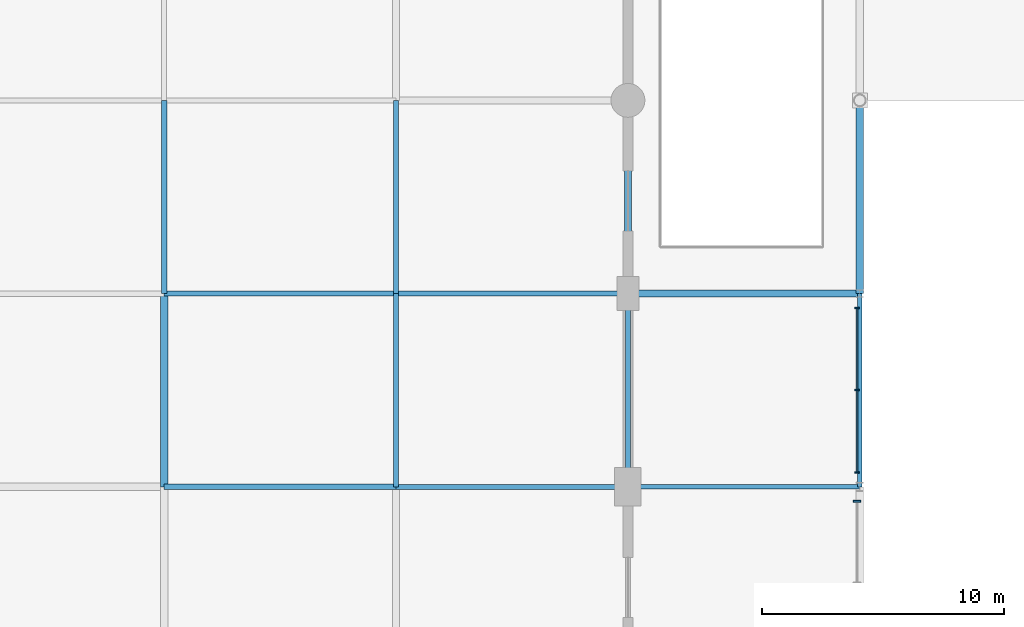
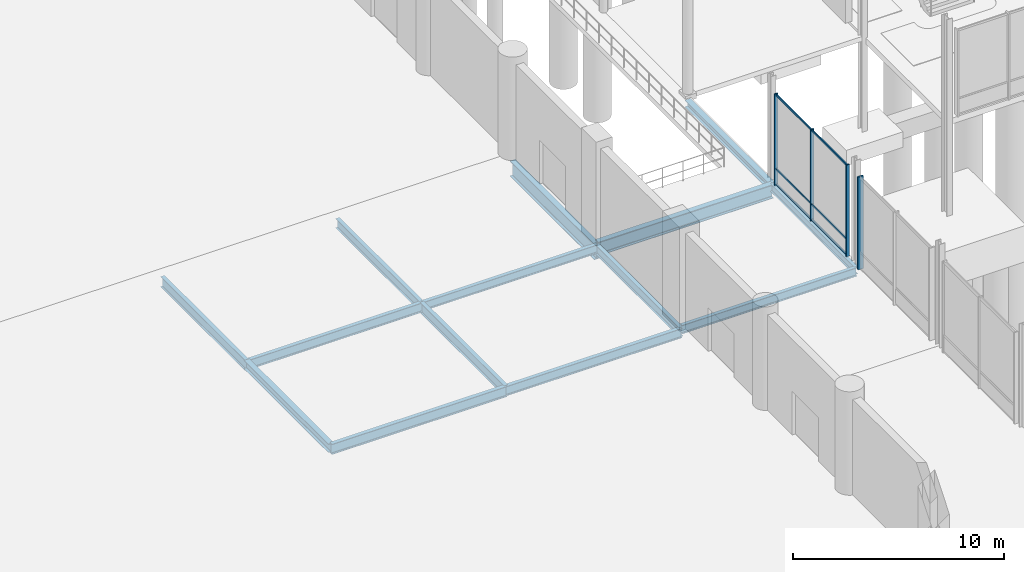
# One storey, part 51 of 124: 14 beams, 7 members, 2 elements without a shape of their own.
"""IFC4 building model written with IfcOpenShell, lengths in metres."""

from ifc_helpers import new_model, si_unit, direction, frame, origin, origin_2d, place, context, subcontext, project, spatial, rectangle, i_section, extrude, material, material_profile, profile_set, type_object, element, aggregate, save


model = new_model("IFC4")

# Units and contexts
model_context = context("Model", 3, precision=1e-05, world=origin(), true_north=direction((0.0, 1.0)))
body_context = subcontext(model_context, "Body", "Model", "MODEL_VIEW")
ifc_project = project(units=[si_unit("LENGTHUNIT", "METRE"), si_unit("AREAUNIT", "SQUARE_METRE"), si_unit("VOLUMEUNIT", "CUBIC_METRE"), si_unit("PLANEANGLEUNIT", "RADIAN"), si_unit("MASSUNIT", "GRAM", prefix="KILO")], contexts=[model_context])

# Site, building, storey
site_placement = place(None, origin())
site = spatial("IfcSite", under=ifc_project, at=site_placement, CompositionType="ELEMENT")
building_placement = place(site_placement, origin())
building = spatial("IfcBuilding", under=site, at=building_placement, Name="Danafjord Basin Convention Centre", CompositionType="ELEMENT")
storey_placement = place(building_placement, origin())
storey = spatial("IfcBuildingStorey", under=building, at=storey_placement, Name="L00", CompositionType="ELEMENT", Elevation=0.0)

# Beams
ifc_material_1 = material(Name="Steel S355", Category="steel")
ifc_material_profile_1 = material_profile(ifc_material_1, i_section(OverallWidth=0.300048828125, OverallDepth=0.5, WebThickness=0.014404296875, FlangeThickness=0.028076171875, FilletRadius=0.027099609375, at=origin_2d()), Name="HEB 500")
ifc_profile_set_1 = profile_set([ifc_material_profile_1], Name="Steel S355")
beam_type_1 = type_object("IfcBeamType", Name="BEAM-BM-HEB500", PredefinedType="BEAM", material=ifc_profile_set_1)
beam_1_placement = place(storey_placement, frame((96.0, 80.0, -0.699951171875), z_axis=(0.0, 1.0, 0.0), x_axis=(-1.0, 0.0, 0.0)))
element("IfcBeam", 1, at=beam_1_placement, inside=storey, type_object=beam_type_1, Name="L00 transverse girder BM-HEB500", PredefinedType="BEAM", context=body_context, shape_type="SweptSolid", body=[
    extrude(i_section(OverallWidth=0.300048828125, OverallDepth=0.5, WebThickness=0.014404296875, FlangeThickness=0.028076171875, FilletRadius=0.027099609375, at=origin_2d()), origin(), (0.0, 0.0, 1.0), 8.0),
])
ifc_material_profile_2 = material_profile(ifc_material_1, i_section(OverallWidth=0.300048828125, OverallDepth=0.800048828125, WebThickness=0.017578125, FlangeThickness=0.032958984375, FilletRadius=0.030029296875, at=origin_2d()), Name="HEB 800")
ifc_profile_set_2 = profile_set([ifc_material_profile_2], Name="Steel S355")
beam_type_2 = type_object("IfcBeamType", Name="BEAM-BM-HEB800", PredefinedType="BEAM", material=ifc_profile_set_2)
beam_2_placement = place(storey_placement, frame((115.199951171875, 88.0, -0.68994140625), z_axis=(1.0, 0.0, 0.0), x_axis=(0.0, 1.0, 0.0)))
element("IfcBeam", 2, at=beam_2_placement, inside=storey, type_object=beam_type_2, Name="L00 girder BM-HEB800", PredefinedType="BEAM", context=body_context, shape_type="SweptSolid", body=[
    extrude(i_section(OverallWidth=0.300048828125, OverallDepth=0.800048828125, WebThickness=0.017578125, FlangeThickness=0.032958984375, FilletRadius=0.030029296875, at=origin_2d()), origin(), (0.0, 0.0, 1.0), 9.60009765625),
])
ifc_material_profile_3 = material_profile(ifc_material_1, i_section(OverallWidth=0.300048828125, OverallDepth=0.89990234375, WebThickness=0.0185546875, FlangeThickness=0.034912109375, FilletRadius=0.030029296875, at=origin_2d()), Name="HEB 900")
ifc_profile_set_3 = profile_set([ifc_material_profile_3], Name="Steel S355")
beam_type_3 = type_object("IfcBeamType", Name="BEAM-BM-HEB900", PredefinedType="BEAM", material=ifc_profile_set_3)
beam_3_placement = place(storey_placement, frame((115.199951171875, 88.0, -0.89990234375), z_axis=(0.0, 1.0, 0.0), x_axis=(-1.0, 0.0, 0.0)))
element("IfcBeam", 3, at=beam_3_placement, inside=storey, type_object=beam_type_3, Name="L00 transverse girder BM-HEB900", PredefinedType="BEAM", context=body_context, shape_type="SweptSolid", body=[
    extrude(i_section(OverallWidth=0.300048828125, OverallDepth=0.89990234375, WebThickness=0.0185546875, FlangeThickness=0.034912109375, FilletRadius=0.030029296875, at=origin_2d()), origin(), (0.0, 0.0, 1.0), 8.0),
])
ifc_material_profile_4 = material_profile(ifc_material_1, i_section(OverallWidth=0.199951171875, OverallDepth=0.5, WebThickness=0.01025390625, FlangeThickness=0.01611328125, FilletRadius=0.02099609375, at=origin_2d()), Name="IPE 500")
ifc_profile_set_4 = profile_set([ifc_material_profile_4], Name="Steel S355")
beam_type_4 = type_object("IfcBeamType", Name="BEAM-BM-IPE500", PredefinedType="BEAM", material=ifc_profile_set_4)
beam_4_placement = place(storey_placement, frame((105.60009765625, 88.0, -0.699951171875), z_axis=(1.0, 0.0, 0.0), x_axis=(0.0, 1.0, 0.0)))
element("IfcBeam", 4, at=beam_4_placement, inside=storey, type_object=beam_type_4, Name="L00 girder BM-IPE500", PredefinedType="BEAM", context=body_context, shape_type="SweptSolid", body=[
    extrude(i_section(OverallWidth=0.199951171875, OverallDepth=0.5, WebThickness=0.01025390625, FlangeThickness=0.01611328125, FilletRadius=0.02099609375, at=origin_2d()), origin(), (0.0, 0.0, 1.0), 9.599853515625),
])
beam_5_placement = place(storey_placement, frame((115.199951171875, 80.0, -0.5400390625), z_axis=(1.0, 0.0, 0.0), x_axis=(0.0, 1.0, 0.0)))
element("IfcBeam", 5, at=beam_5_placement, inside=storey, type_object=beam_type_4, Name="L00 girder BM-IPE500", PredefinedType="BEAM", context=body_context, shape_type="SweptSolid", body=[
    extrude(i_section(OverallWidth=0.199951171875, OverallDepth=0.5, WebThickness=0.01025390625, FlangeThickness=0.01611328125, FilletRadius=0.02099609375, at=origin_2d()), origin(), (0.0, 0.0, 1.0), 9.60009765625),
])
ifc_material_profile_5 = material_profile(ifc_material_1, i_section(OverallWidth=0.2099609375, OverallDepth=0.550048828125, WebThickness=0.010986328125, FlangeThickness=0.01708984375, FilletRadius=0.02392578125, at=origin_2d()), Name="IPE 550")
ifc_profile_set_5 = profile_set([ifc_material_profile_5], Name="Steel S355")
beam_type_5 = type_object("IfcBeamType", Name="BEAM-BM-IPE550", PredefinedType="BEAM", material=ifc_profile_set_5)
beam_6_placement = place(storey_placement, frame((96.0, 88.0, -0.72509765625), z_axis=(1.0, 0.0, 0.0), x_axis=(0.0, 1.0, 0.0)))
element("IfcBeam", 6, at=beam_6_placement, inside=storey, type_object=beam_type_5, Name="L00 girder BM-IPE550", PredefinedType="BEAM", context=body_context, shape_type="SweptSolid", body=[
    extrude(i_section(OverallWidth=0.2099609375, OverallDepth=0.550048828125, WebThickness=0.010986328125, FlangeThickness=0.01708984375, FilletRadius=0.02392578125, at=origin_2d()), origin(), (0.0, 0.0, 1.0), 9.60009765625),
])
beam_7_placement = place(storey_placement, frame((105.60009765625, 80.0, -0.72509765625), z_axis=(1.0, 0.0, 0.0), x_axis=(0.0, 1.0, 0.0)))
element("IfcBeam", 7, at=beam_7_placement, inside=storey, type_object=beam_type_5, Name="L00 girder BM-IPE550", PredefinedType="BEAM", context=body_context, shape_type="SweptSolid", body=[
    extrude(i_section(OverallWidth=0.2099609375, OverallDepth=0.550048828125, WebThickness=0.010986328125, FlangeThickness=0.01708984375, FilletRadius=0.02392578125, at=origin_2d()), origin(), (0.0, 0.0, 1.0), 9.599853515625),
])
for number, where, z_axis, x_axis, name in (
    (8, (105.60009765625, 88.0, -0.72509765625), (0.0, 1.0, 0.0), (-1.0, 0.0, 0.0), "L00 transverse girder BM-IPE550"),
    (9, (115.199951171875, 80.0, -0.72509765625), (0.0, 1.0, 0.0), (-1.0, 0.0, 0.0), "L00 transverse girder BM-IPE550"),
):
    element("IfcBeam", number, at=place(storey_placement, frame(where, z_axis=z_axis, x_axis=x_axis)), inside=storey, type_object=beam_type_5, Name=name, PredefinedType="BEAM", context=body_context, shape_type="SweptSolid", body=[
        extrude(i_section(OverallWidth=0.2099609375, OverallDepth=0.550048828125, WebThickness=0.010986328125, FlangeThickness=0.01708984375, FilletRadius=0.02392578125, at=origin_2d()), origin(), (0.0, 0.0, 1.0), 8.0),
    ])
ifc_material_profile_6 = material_profile(ifc_material_1, i_section(OverallWidth=0.219970703125, OverallDepth=0.60009765625, WebThickness=0.011962890625, FlangeThickness=0.01904296875, FilletRadius=0.02392578125, at=origin_2d()), Name="IPE 600")
ifc_profile_set_6 = profile_set([ifc_material_profile_6], Name="Steel S355")
beam_type_6 = type_object("IfcBeamType", Name="BEAM-BM-IPE600", PredefinedType="BEAM", material=ifc_profile_set_6)
beam_8_placement = place(storey_placement, frame((96.0, 80.0, -0.75), z_axis=(1.0, 0.0, 0.0), x_axis=(0.0, 1.0, 0.0)))
element("IfcBeam", 10, at=beam_8_placement, inside=storey, type_object=beam_type_6, Name="L00 girder BM-IPE600", PredefinedType="BEAM", context=body_context, shape_type="SweptSolid", body=[
    extrude(i_section(OverallWidth=0.219970703125, OverallDepth=0.60009765625, WebThickness=0.011962890625, FlangeThickness=0.01904296875, FilletRadius=0.02392578125, at=origin_2d()), origin(), (0.0, 0.0, 1.0), 9.60009765625),
])
for number, where, z_axis, x_axis, name in (
    (11, (96.0, 88.0, -0.75), (0.0, 1.0, 0.0), (-1.0, 0.0, 0.0), "L00 transverse girder BM-IPE600"),
    (12, (105.60009765625, 80.0, -0.75), (0.0, 1.0, 0.0), (-1.0, 0.0, 0.0), "L00 transverse girder BM-IPE600"),
):
    element("IfcBeam", number, at=place(storey_placement, frame(where, z_axis=z_axis, x_axis=x_axis)), inside=storey, type_object=beam_type_6, Name=name, PredefinedType="BEAM", context=body_context, shape_type="SweptSolid", body=[
        extrude(i_section(OverallWidth=0.219970703125, OverallDepth=0.60009765625, WebThickness=0.011962890625, FlangeThickness=0.01904296875, FilletRadius=0.02392578125, at=origin_2d()), origin(), (0.0, 0.0, 1.0), 8.0),
    ])
ifc_material_profile_7 = material_profile(ifc_material_1, i_section(OverallWidth=0.300048828125, OverallDepth=0.39990234375, WebThickness=0.013427734375, FlangeThickness=0.02392578125, FilletRadius=0.027099609375, at=origin_2d()), Name="HEB 400")
ifc_profile_set_7 = profile_set([ifc_material_profile_7], Name="Steel S355")
beam_type_7 = type_object("IfcBeamType", Name="BEAM-SP-HEB400", PredefinedType="SPANDREL", material=ifc_profile_set_7)
beam_9_placement = place(storey_placement, frame((124.800048828125, 88.0, -0.489990234375), z_axis=(0.0, 1.0, 0.0), x_axis=(-1.0, 0.0, 0.0)))
element("IfcBeam", 13, at=beam_9_placement, inside=storey, type_object=beam_type_7, Name="L00 transverse girder SP-HEB400", PredefinedType="SPANDREL", context=body_context, shape_type="SweptSolid", body=[
    extrude(i_section(OverallWidth=0.300048828125, OverallDepth=0.39990234375, WebThickness=0.013427734375, FlangeThickness=0.02392578125, FilletRadius=0.027099609375, at=origin_2d()), origin(), (0.0, 0.0, 1.0), 8.0),
])
ifc_material_profile_8 = material_profile(ifc_material_1, i_section(OverallWidth=0.18994140625, OverallDepth=0.449951171875, WebThickness=0.009521484375, FlangeThickness=0.0146484375, FilletRadius=0.02099609375, at=origin_2d()), Name="IPE 450")
ifc_profile_set_8 = profile_set([ifc_material_profile_8], Name="Steel S355")
beam_type_8 = type_object("IfcBeamType", Name="BEAM-SP-IPE450", PredefinedType="SPANDREL", material=ifc_profile_set_8)
beam_10_placement = place(storey_placement, frame((124.800048828125, 80.0, -0.514892578125), z_axis=(0.0, 1.0, 0.0), x_axis=(-1.0, 0.0, 0.0)))
element("IfcBeam", 14, at=beam_10_placement, inside=storey, type_object=beam_type_8, Name="L00 transverse girder SP-IPE450", PredefinedType="SPANDREL", context=body_context, shape_type="SweptSolid", body=[
    extrude(i_section(OverallWidth=0.18994140625, OverallDepth=0.449951171875, WebThickness=0.009521484375, FlangeThickness=0.0146484375, FilletRadius=0.02099609375, at=origin_2d()), origin(), (0.0, 0.0, 1.0), 8.0),
])

# Curtain wall, members
ifc_material_2 = material(Name="Anodised aluminium and triple glazing", Category="aluminium")
curtain_wall_type = type_object("IfcCurtainWallType", Name="CW-CW-BRIDGE", PredefinedType="NOTDEFINED", material=ifc_material_2)
curtain_wall_1_placement = place(storey_placement, origin())
curtain_wall_1 = element("IfcCurtainWall", 15, at=curtain_wall_1_placement, inside=storey, type_object=curtain_wall_type, Name="L00 CW-BRIDGE unitised curtain wall bay 171", PredefinedType="NOTDEFINED")
ifc_material_3 = material(Name="Anodised aluminium EN AW-6060", Category="aluminium")
ifc_material_profile_9 = material_profile(ifc_material_3, rectangle(XDim=0.06005859375, YDim=0.179931640625, at=origin_2d()), Name="MULL 60x180")
ifc_profile_set_9 = profile_set([ifc_material_profile_9], Name="Anodised aluminium EN AW-6060")
member_type_1 = type_object("IfcMemberType", Name="MEM-ML-180", PredefinedType="MULLION", material=ifc_profile_set_9)
member_1_placement = place(storey_placement, frame((124.679931640625, 80.60009765625, -0.02490234375), z_axis=(0.0, 0.0, 1.0), x_axis=(0.0, 1.0, 0.0)))
member_1 = element("IfcMember", 16, at=member_1_placement, type_object=member_type_1, Name="CW-L00-171 mullion 1", PredefinedType="MULLION", context=body_context, shape_type="SweptSolid", body=[
    extrude(rectangle(XDim=0.06005859375, YDim=0.179931640625, at=origin_2d()), origin(), (0.0, 0.0, 1.0), 5.3349609375),
])
member_2_placement = place(storey_placement, frame((124.679931640625, 84.0, -0.02490234375), z_axis=(0.0, 0.0, 1.0), x_axis=(0.0, 1.0, 0.0)))
member_2 = element("IfcMember", 17, at=member_2_placement, type_object=member_type_1, Name="CW-L00-171 mullion 2", PredefinedType="MULLION", context=body_context, shape_type="SweptSolid", body=[
    extrude(rectangle(XDim=0.06005859375, YDim=0.179931640625, at=origin_2d()), origin(), (0.0, 0.0, 1.0), 5.3349609375),
])
member_3_placement = place(storey_placement, frame((124.679931640625, 87.39990234375, -0.02490234375), z_axis=(0.0, 0.0, 1.0), x_axis=(0.0, 1.0, 0.0)))
member_3 = element("IfcMember", 18, at=member_3_placement, type_object=member_type_1, Name="CW-L00-171 mullion 3", PredefinedType="MULLION", context=body_context, shape_type="SweptSolid", body=[
    extrude(rectangle(XDim=0.06005859375, YDim=0.179931640625, at=origin_2d()), origin(), (0.0, 0.0, 1.0), 5.3349609375),
])

# Curtain wall, member
curtain_wall_2_placement = place(storey_placement, origin())
curtain_wall_2 = element("IfcCurtainWall", 19, at=curtain_wall_2_placement, inside=storey, type_object=curtain_wall_type, Name="L00 CW-BRIDGE unitised curtain wall bay 169", PredefinedType="NOTDEFINED")
ifc_material_profile_10 = material_profile(ifc_material_3, rectangle(XDim=0.080078125, YDim=0.300048828125, at=origin_2d()), Name="MULL 80x300")
ifc_profile_set_10 = profile_set([ifc_material_profile_10], Name="Anodised aluminium EN AW-6060")
member_type_2 = type_object("IfcMemberType", Name="MEM-ML-300", PredefinedType="MULLION", material=ifc_profile_set_10)
member_4_placement = place(storey_placement, frame((124.679931640625, 79.39990234375, -0.02490234375), z_axis=(0.0, 0.0, 1.0), x_axis=(0.0, 1.0, 0.0)))
member_4 = element("IfcMember", 20, at=member_4_placement, type_object=member_type_2, Name="CW-L00-169 mullion 3", PredefinedType="MULLION", context=body_context, shape_type="SweptSolid", body=[
    extrude(rectangle(XDim=0.080078125, YDim=0.300048828125, at=origin_2d()), origin(), (0.0, 0.0, 1.0), 5.385009765625),
])
aggregate(curtain_wall_2, [member_4])

# Member
ifc_material_profile_11 = material_profile(ifc_material_3, rectangle(XDim=0.06005859375, YDim=0.110107421875, at=origin_2d()), Name="TRAN 60x110")
ifc_profile_set_11 = profile_set([ifc_material_profile_11], Name="Anodised aluminium EN AW-6060")
member_type_3 = type_object("IfcMemberType", Name="MEM-TR-110", PredefinedType="USERDEFINED", material=ifc_profile_set_11)
member_5_placement = place(storey_placement, frame((124.679931640625, 80.60009765625, 0.06005859375), z_axis=(0.0, 1.0, 0.0), x_axis=(-1.0, 0.0, 0.0)))
member_5 = element("IfcMember", 21, at=member_5_placement, type_object=member_type_3, Name="CW-L00-171 transom 1", ObjectType="TRANSOM", PredefinedType="USERDEFINED", context=body_context, shape_type="SweptSolid", body=[
    extrude(rectangle(XDim=0.06005859375, YDim=0.110107421875, at=origin_2d()), origin(), (0.0, 0.0, 1.0), 6.7998046875),
])

member_6_placement = place(storey_placement, frame((124.679931640625, 80.60009765625, 0.949951171875), z_axis=(0.0, 1.0, 0.0), x_axis=(-1.0, 0.0, 0.0)))
member_6 = element("IfcMember", 22, at=member_6_placement, type_object=member_type_3, Name="CW-L00-171 transom 2", ObjectType="TRANSOM", PredefinedType="USERDEFINED", context=body_context, shape_type="SweptSolid", body=[
    extrude(rectangle(XDim=0.06005859375, YDim=0.110107421875, at=origin_2d()), origin(), (0.0, 0.0, 1.0), 6.7998046875),
])

member_7_placement = place(storey_placement, frame((124.679931640625, 80.60009765625, 5.239990234375), z_axis=(0.0, 1.0, 0.0), x_axis=(-1.0, 0.0, 0.0)))
member_7 = element("IfcMember", 23, at=member_7_placement, type_object=member_type_3, Name="CW-L00-171 transom 3", ObjectType="TRANSOM", PredefinedType="USERDEFINED", context=body_context, shape_type="SweptSolid", body=[
    extrude(rectangle(XDim=0.06005859375, YDim=0.110107421875, at=origin_2d()), origin(), (0.0, 0.0, 1.0), 6.7998046875),
])

aggregate(curtain_wall_1, [member_1, member_2, member_3, member_5, member_6, member_7])

save(model, "model.ifc")
